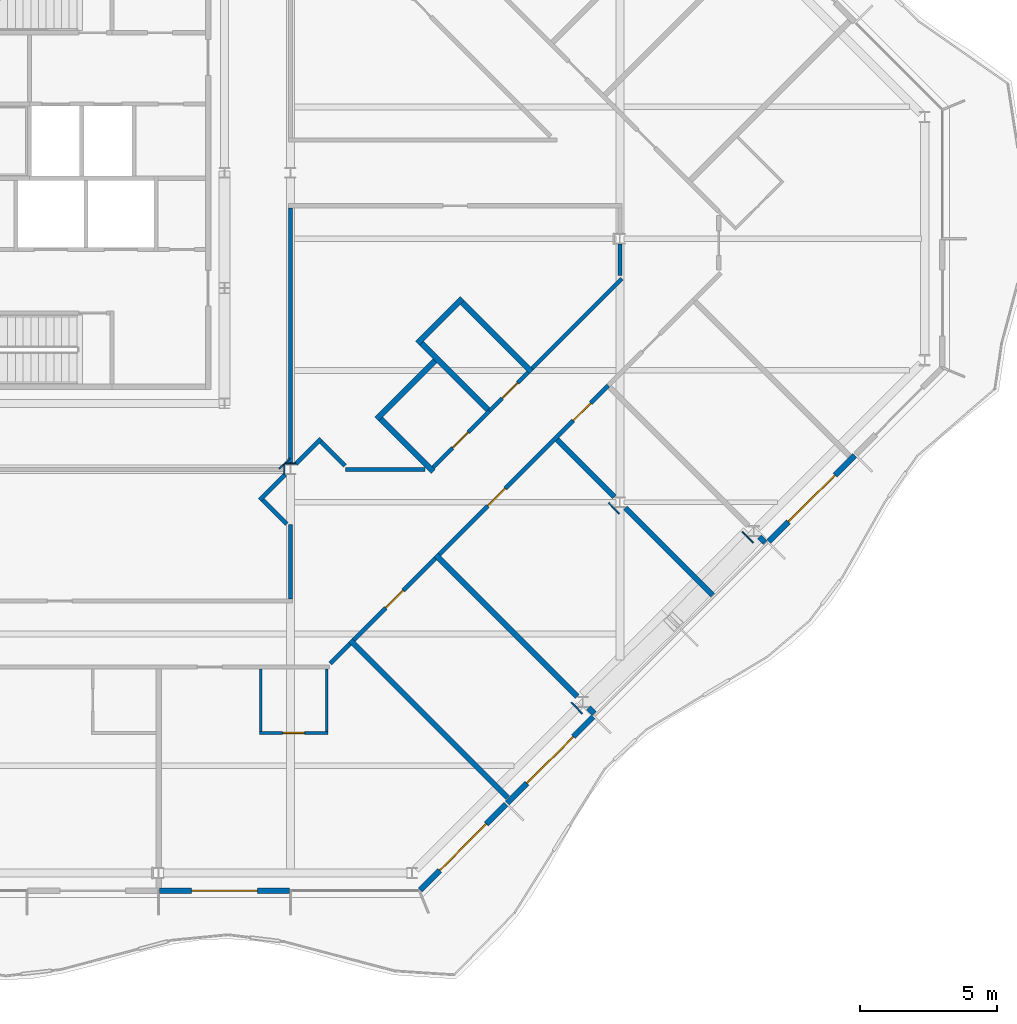
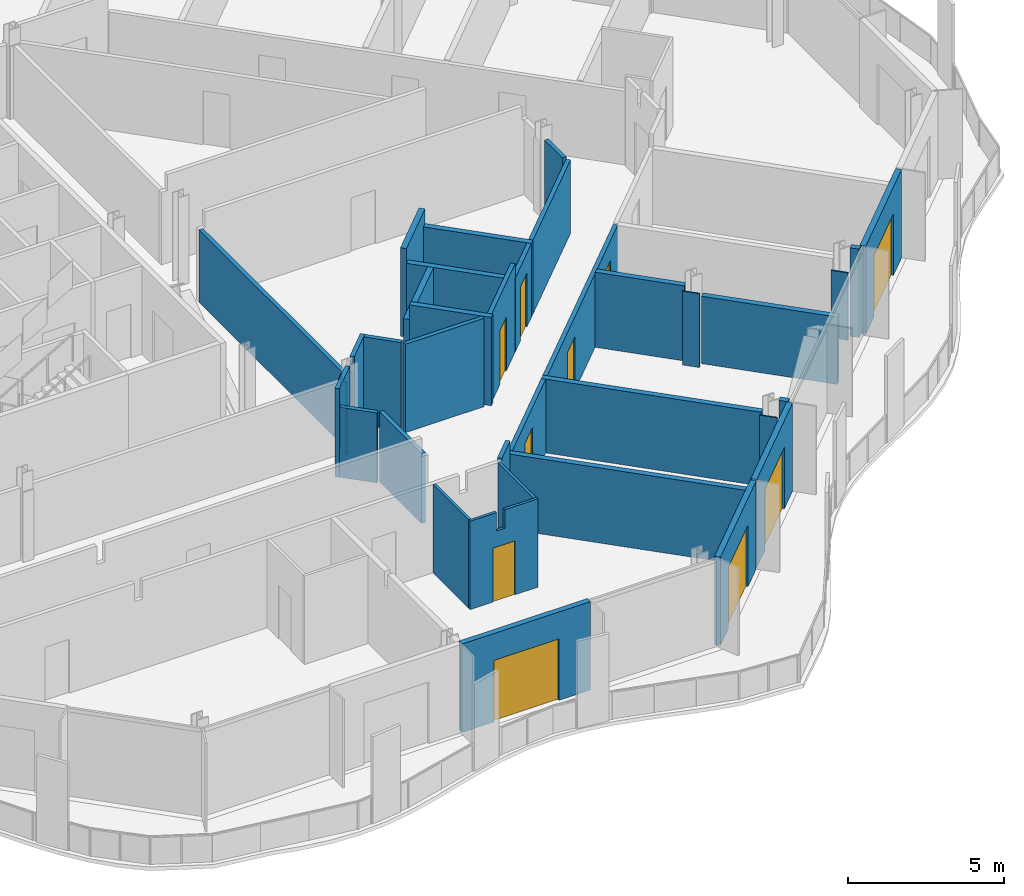
# One storey, part 9 of 17: 38 walls, 10 doors, 10 openings.
"""IFC4 building model written with IfcOpenShell, lengths in metres."""

from ifc_helpers import new_model, si_unit, direction, frame, frame_2d, origin, place, context, subcontext, project, spatial, polyline, rectangle, outline, extrude, material, layer, layer_set, type_object, element, fill, save


model = new_model("IFC4")

# Units and contexts
model_context = context("Model", 3, precision=1e-05, world=origin(), true_north=direction((0.0, 1.0)))
body_context = subcontext(model_context, "Body", "Model", "MODEL_VIEW")
ifc_project = project(units=[si_unit("LENGTHUNIT", "METRE"), si_unit("AREAUNIT", "SQUARE_METRE"), si_unit("VOLUMEUNIT", "CUBIC_METRE"), si_unit("PLANEANGLEUNIT", "RADIAN"), si_unit("MASSUNIT", "GRAM", prefix="KILO")], contexts=[model_context])

# Site, building, storey
site_placement = place(None, origin())
site = spatial("IfcSite", under=ifc_project, at=site_placement, CompositionType="ELEMENT")
building_placement = place(site_placement, origin())
building = spatial("IfcBuilding", under=site, at=building_placement, Name="Cairn Pilgrim Tower", CompositionType="ELEMENT")
storey_placement = place(building_placement, frame((0.0, 0.0, 250.199951171875)))
storey = spatial("IfcBuildingStorey", under=building, at=storey_placement, Name="L64", CompositionType="ELEMENT", Elevation=250.199951171875)

# Wall, opening, door
ifc_material_1 = material(Name="Bronze anodised aluminium insulated sandwich panel with mineral wool fill", Category="aluminium")
ifc_layer_1 = layer(ifc_material_1, 0.199951171875)
ifc_layer_set_1 = layer_set([ifc_layer_1], Name="BRONZE INFILL FRAME WALL 200")
wall_type_1 = type_object("IfcWallType", Name="BRONZE INFILL FRAME WALL 200", PredefinedType="NOTDEFINED", material=ifc_layer_set_1)
wall_1_placement = place(storey_placement, frame((14.429931640625, -23.75, 0.0), z_axis=(0.0, 0.0, 1.0), x_axis=(1.0, 0.0, 0.0)))
wall_1 = element("IfcWall", 1, at=wall_1_placement, inside=storey, type_object=wall_type_1, Name="Bronze infill frame wall IW-S3", PredefinedType="NOTDEFINED", context=body_context, shape_type="SweptSolid", body=[
    extrude(rectangle(XDim=4.739990234375, YDim=0.199951171875, at=frame_2d((2.3701171875, 0.0))), origin(), (0.0, 0.0, 1.0), 3.449951171875),
])
opening_1_placement = place(wall_1_placement, frame((1.169921875, 0.0, 0.0)))
opening_1 = element("IfcOpeningElement", 2, at=opening_1_placement, cuts=wall_1, Name="Opening 6401B", PredefinedType="OPENING", context=body_context, shape_type="SweptSolid", body=[
    extrude(rectangle(XDim=2.39990234375, YDim=2.39990234375, at=frame_2d((1.199951171875, 1.199951171875))), frame((0.0, 0.10986328125, 0.0), z_axis=(0.0, -1.0, 0.0), x_axis=(1.0, 0.0, 0.0)), (0.0, 0.0, 1.0), 0.219970703125),
])
ifc_material_2 = material(Name="Bronze anodised aluminium frame with tinted low-E glass", Category="aluminium")
door_type_1 = type_object("IfcDoorType", Name="BALCONY SLIDING DOOR 2400x2400", OperationType="DOUBLE_DOOR_SLIDING", PredefinedType="DOOR", material=ifc_material_2)
door_1_placement = place(opening_1_placement, origin())
door_1 = element("IfcDoor", 3, at=door_1_placement, inside=storey, type_object=door_type_1, Name="Balcony sliding door 6401B", OperationType="SINGLE_SWING_LEFT", OverallHeight=2.39990234375, OverallWidth=2.39990234375, PredefinedType="DOOR", context=body_context, shape_type="SweptSolid", body=[
    extrude(rectangle(XDim=2.39990234375, YDim=2.39990234375, at=frame_2d((1.199951171875, 1.199951171875))), frame((0.0, 0.02490234375, 0.0), z_axis=(0.0, -1.0, 0.0), x_axis=(1.0, 0.0, 0.0)), (0.0, 0.0, 1.0), 0.050048828125),
])
fill(opening_1, door_1)

wall_2_placement = place(storey_placement, frame((23.9248046875, -23.7216796875, 0.0), z_axis=(0.0, 0.0, 1.0), x_axis=(0.707106781187, 0.707106781187, 0.0)))
wall_2 = element("IfcWall", 4, at=wall_2_placement, inside=storey, type_object=wall_type_1, Name="Bronze infill frame wall IW-SE1", PredefinedType="NOTDEFINED", context=body_context, shape_type="SweptSolid", body=[
    extrude(rectangle(XDim=4.4208984375, YDim=0.199951171875, at=frame_2d((2.21044921875, 0.0))), origin(), (0.0, 0.0, 1.0), 3.449951171875),
])
opening_2_placement = place(wall_2_placement, frame((1.00537109375, 0.0, 0.0)))
opening_2 = element("IfcOpeningElement", 5, at=opening_2_placement, cuts=wall_2, Name="Opening 6401B2", PredefinedType="OPENING", context=body_context, shape_type="SweptSolid", body=[
    extrude(rectangle(XDim=2.39990234375, YDim=2.39990234375, at=frame_2d((1.199951171875, 1.199951171875))), frame((0.0, 0.10986328125, 0.0), z_axis=(0.0, -1.0, 0.0), x_axis=(1.0, 0.0, 0.0)), (0.0, 0.0, 1.0), 0.219970703125),
])
door_2_placement = place(opening_2_placement, origin())
door_2 = element("IfcDoor", 6, at=door_2_placement, inside=storey, type_object=door_type_1, Name="Balcony sliding door 6401B2", OperationType="SINGLE_SWING_LEFT", OverallHeight=2.39990234375, OverallWidth=2.39990234375, PredefinedType="DOOR", context=body_context, shape_type="SweptSolid", body=[
    extrude(rectangle(XDim=2.39990234375, YDim=2.39990234375, at=frame_2d((1.199951171875, 1.199951171875))), frame((0.0, 0.02490234375, 0.0), z_axis=(0.0, -1.0, 0.0), x_axis=(1.0, 0.0, 0.0)), (0.0, 0.0, 1.0), 0.050048828125),
])
fill(opening_2, door_2)

wall_3_placement = place(storey_placement, frame((27.09326171875, -20.55322265625, 0.0), z_axis=(0.0, 0.0, 1.0), x_axis=(0.707079231393, 0.707134329907, 0.0)))
wall_3 = element("IfcWall", 7, at=wall_3_placement, inside=storey, type_object=wall_type_1, Name="Bronze infill frame wall IW-SE2", PredefinedType="NOTDEFINED", context=body_context, shape_type="SweptSolid", body=[
    extrude(rectangle(XDim=4.430908203125, YDim=0.199951171875, at=frame_2d((2.21533203125, 0.0))), origin(), (0.0, 0.0, 1.0), 3.449951171875),
])
opening_3_placement = place(wall_3_placement, frame((1.015380859375, 0.0, 0.0)))
opening_3 = element("IfcOpeningElement", 8, at=opening_3_placement, cuts=wall_3, Name="Opening 6402B", PredefinedType="OPENING", context=body_context, shape_type="SweptSolid", body=[
    extrude(rectangle(XDim=2.39990234375, YDim=2.39990234375, at=frame_2d((1.199951171875, 1.199951171875))), frame((0.0, 0.10986328125, 0.0), z_axis=(0.0, -1.0, 0.0), x_axis=(1.0, 0.0, 0.0)), (0.0, 0.0, 1.0), 0.219970703125),
])
door_3_placement = place(opening_3_placement, origin())
door_3 = element("IfcDoor", 9, at=door_3_placement, inside=storey, type_object=door_type_1, Name="Balcony sliding door 6402B", OperationType="SINGLE_SWING_LEFT", OverallHeight=2.39990234375, OverallWidth=2.39990234375, PredefinedType="DOOR", context=body_context, shape_type="SweptSolid", body=[
    extrude(rectangle(XDim=2.39990234375, YDim=2.39990234375, at=frame_2d((1.199951171875, 1.199951171875))), frame((0.0, 0.02490234375, 0.0), z_axis=(0.0, -1.0, 0.0), x_axis=(1.0, 0.0, 0.0)), (0.0, 0.0, 1.0), 0.050048828125),
])
fill(opening_3, door_3)

wall_4_placement = place(storey_placement, frame((36.6201171875, -11.0263671875, 0.0), z_axis=(0.0, 0.0, 1.0), x_axis=(0.707106781187, 0.707106781187, 0.0)))
wall_4 = element("IfcWall", 10, at=wall_4_placement, inside=storey, type_object=wall_type_1, Name="Bronze infill frame wall IW-SE5", PredefinedType="NOTDEFINED", context=body_context, shape_type="SweptSolid", body=[
    extrude(rectangle(XDim=4.430908203125, YDim=0.199951171875, at=frame_2d((2.21533203125, 0.0))), origin(), (0.0, 0.0, 1.0), 3.449951171875),
])
opening_4_placement = place(wall_4_placement, frame((1.01513671875, 0.0, 0.0)))
opening_4 = element("IfcOpeningElement", 11, at=opening_4_placement, cuts=wall_4, Name="Opening 6405B", PredefinedType="OPENING", context=body_context, shape_type="SweptSolid", body=[
    extrude(rectangle(XDim=2.39990234375, YDim=2.39990234375, at=frame_2d((1.199951171875, 1.199951171875))), frame((0.0, 0.10986328125, 0.0), z_axis=(0.0, -1.0, 0.0), x_axis=(1.0, 0.0, 0.0)), (0.0, 0.0, 1.0), 0.219970703125),
])
door_4_placement = place(opening_4_placement, origin())
door_4 = element("IfcDoor", 12, at=door_4_placement, inside=storey, type_object=door_type_1, Name="Balcony sliding door 6405B", OperationType="SINGLE_SWING_LEFT", OverallHeight=2.39990234375, OverallWidth=2.39990234375, PredefinedType="DOOR", context=body_context, shape_type="SweptSolid", body=[
    extrude(rectangle(XDim=2.39990234375, YDim=2.39990234375, at=frame_2d((1.199951171875, 1.199951171875))), frame((0.0, 0.02490234375, 0.0), z_axis=(0.0, -1.0, 0.0), x_axis=(1.0, 0.0, 0.0)), (0.0, 0.0, 1.0), 0.050048828125),
])
fill(opening_4, door_4)

ifc_material_3 = material(Name="Gypsum partition")
ifc_layer_2 = layer(ifc_material_3, 0.10009765625)
ifc_layer_set_2 = layer_set([ifc_layer_2], Name="PARTITION 100 DRYWALL")
wall_type_2 = type_object("IfcWallType", Name="PARTITION 100 DRYWALL", PredefinedType="PARTITIONING", material=ifc_layer_set_2)
wall_5_placement = place(storey_placement, frame((18.071044921875, -18.0, 0.0), z_axis=(0.0, 0.0, 1.0), x_axis=(1.0, 0.0, 0.0)))
wall_5 = element("IfcWall", 13, at=wall_5_placement, inside=storey, type_object=wall_type_2, Name="PARTITION W005", PredefinedType="PARTITIONING", context=body_context, shape_type="SweptSolid", body=[
    extrude(outline(polyline([(0.0, 0.0), (2.5, 0.0), (2.5, 3.449951171875), (1.279052734375, 3.449951171875), (1.277099609375, 2.72998046875), (0.97900390625, 2.72998046875), (0.97705078125, 3.449951171875), (0.0, 3.449951171875), (0.0, 0.0)])), frame((0.0, 0.050048828125, 0.0), z_axis=(0.0, -1.0, 0.0), x_axis=(1.0, 0.0, 0.0)), (0.0, 0.0, 1.0), 0.10009765625),
])
opening_5_placement = place(wall_5_placement, frame((0.85009765625, 0.0, 0.0)))
opening_5 = element("IfcOpeningElement", 14, at=opening_5_placement, cuts=wall_5, Name="Opening 6401A", PredefinedType="OPENING", context=body_context, shape_type="SweptSolid", body=[
    extrude(rectangle(XDim=0.800048828125, YDim=2.10009765625, at=frame_2d((0.39990234375, 1.050048828125))), frame((0.0, 0.06005859375, 0.0), z_axis=(0.0, -1.0, 0.0), x_axis=(1.0, 0.0, 0.0)), (0.0, 0.0, 1.0), 0.1201171875),
])
ifc_material_4 = material(Name="Timber door leaf", Category="wood")
door_type_2 = type_object("IfcDoorType", Name="WC DOOR 800x2100", OperationType="NOTDEFINED", PredefinedType="DOOR", material=ifc_material_4)
door_5_placement = place(opening_5_placement, frame((0.800048828125, 0.0, 0.0), z_axis=(0.0, 0.0, 1.0), x_axis=(-1.0, 0.0, 0.0)))
door_5 = element("IfcDoor", 15, at=door_5_placement, inside=storey, type_object=door_type_2, Name="DOOR 6401A", OperationType="SINGLE_SWING_RIGHT", OverallHeight=2.10009765625, OverallWidth=0.800048828125, PredefinedType="DOOR", context=body_context, shape_type="SweptSolid", body=[
    extrude(rectangle(XDim=0.800048828125, YDim=2.10009765625, at=frame_2d((0.39990234375, 1.050048828125))), frame((0.0, 0.02490234375, 0.0), z_axis=(0.0, -1.0, 0.0), x_axis=(1.0, 0.0, 0.0)), (0.0, 0.0, 1.0), 0.050048828125),
])
fill(opening_5, door_5)

# Walls
for number, where, z_axis, x_axis, name in (
    (16, (18.12109375, -17.949951171875, 0.0), (0.0, 0.0, 1.0), (0.0, 1.0, 0.0), "PARTITION W007"),
    (17, (20.52099609375, -17.949951171875, 0.0), (0.0, 0.0, 1.0), (0.0, 1.0, 0.0), "PARTITION W008"),
):
    element("IfcWall", number, at=place(storey_placement, frame(where, z_axis=z_axis, x_axis=x_axis)), inside=storey, type_object=wall_type_2, Name=name, PredefinedType="PARTITIONING", context=body_context, shape_type="SweptSolid", body=[
        extrude(rectangle(XDim=2.27490234375, YDim=0.10009765625, at=frame_2d((1.137451171875, 0.0))), origin(), (0.0, 0.0, 1.0), 3.449951171875),
    ])
ifc_layer_3 = layer(ifc_material_3, 0.14990234375)
ifc_layer_set_3 = layer_set([ifc_layer_3], Name="PARTITION 150 DRYWALL EI 60")
wall_type_3 = type_object("IfcWallType", Name="PARTITION 150 DRYWALL EI 60", PredefinedType="PARTITIONING", material=ifc_layer_set_3)
wall_6_placement = place(storey_placement, frame((20.64892578125, -15.471923828125, 0.0), z_axis=(0.0, 0.0, 1.0), x_axis=(0.707106781187, 0.707106781187, 0.0)))
element("IfcWall", 18, at=wall_6_placement, inside=storey, type_object=wall_type_3, Name="PARTITION W012", PredefinedType="PARTITIONING", context=body_context, shape_type="SweptSolid", body=[
    extrude(rectangle(XDim=1.012939453125, YDim=0.14990234375, at=frame_2d((0.50634765625, 0.0))), origin(), (0.0, 0.0, 1.0), 3.449951171875),
])

# Wall, opening, door
wall_7_placement = place(storey_placement, frame((21.506591796875, -14.6142578125, 0.0), z_axis=(0.0, 0.0, 1.0), x_axis=(0.706990566745, 0.707222976531, 0.0)))
wall_7 = element("IfcWall", 19, at=wall_7_placement, inside=storey, type_object=wall_type_3, Name="PARTITION W013", PredefinedType="PARTITIONING", context=body_context, shape_type="SweptSolid", body=[
    extrude(rectangle(XDim=4.201904296875, YDim=0.14990234375, at=frame_2d((2.10107421875, 0.0))), origin(), (0.0, 0.0, 1.0), 2.880126953125),
])
opening_6_placement = place(wall_7_placement, frame((1.650634765625, 0.0, 0.0)))
opening_6 = element("IfcOpeningElement", 20, at=opening_6_placement, cuts=wall_7, Name="Opening 6402", PredefinedType="OPENING", context=body_context, shape_type="SweptSolid", body=[
    extrude(rectangle(XDim=0.89990234375, YDim=2.10009765625, at=frame_2d((0.449951171875, 1.050048828125))), frame((0.0, 0.0849609375, 0.0), z_axis=(0.0, -1.0, 0.0), x_axis=(1.0, 0.0, 0.0)), (0.0, 0.0, 1.0), 0.169921875),
])
door_type_3 = type_object("IfcDoorType", Name="SERVICE DOOR 900x2100 FD30S", OperationType="NOTDEFINED", PredefinedType="DOOR", material=ifc_material_4)
door_6_placement = place(opening_6_placement, frame((0.89990234375, 0.0, 0.0), z_axis=(0.0, 0.0, 1.0), x_axis=(-1.0, 0.0, 0.0)))
door_6 = element("IfcDoor", 21, at=door_6_placement, inside=storey, type_object=door_type_3, Name="DOOR 6402", OperationType="SINGLE_SWING_RIGHT", OverallHeight=2.10009765625, OverallWidth=0.89990234375, PredefinedType="DOOR", context=body_context, shape_type="SweptSolid", body=[
    extrude(rectangle(XDim=0.89990234375, YDim=2.10009765625, at=frame_2d((0.449951171875, 1.050048828125))), frame((0.0, 0.02490234375, 0.0), z_axis=(0.0, -1.0, 0.0), x_axis=(1.0, 0.0, 0.0)), (0.0, 0.0, 1.0), 0.050048828125),
])
fill(opening_6, door_6)

# Wall
wall_8_placement = place(storey_placement, frame((19.199951171875, -13.125, 0.0), z_axis=(0.0, 0.0, 1.0), x_axis=(0.0, 1.0, 0.0)))
element("IfcWall", 22, at=wall_8_placement, inside=storey, type_object=wall_type_3, Name="PARTITION W020", PredefinedType="PARTITIONING", context=body_context, shape_type="SweptSolid", body=[
    extrude(rectangle(XDim=2.7099609375, YDim=0.14990234375, at=frame_2d((1.35498046875, 0.0))), origin(), (0.0, 0.0, 1.0), 2.72998046875),
])

# Wall, openings, doors
wall_9_placement = place(storey_placement, frame((24.61865234375, -11.501220703125, 0.0), z_axis=(0.0, 0.0, 1.0), x_axis=(0.707106781187, 0.707106781187, 0.0)))
wall_9 = element("IfcWall", 23, at=wall_9_placement, inside=storey, type_object=wall_type_3, Name="PARTITION W022", PredefinedType="PARTITIONING", context=body_context, shape_type="SweptSolid", body=[
    extrude(rectangle(XDim=8.7021484375, YDim=0.14990234375, at=frame_2d((4.35107421875, 0.0))), origin(), (0.0, 0.0, 1.0), 2.880126953125),
])
opening_7_placement = place(wall_9_placement, frame((2.4990234375, 0.0, 0.0)))
opening_7 = element("IfcOpeningElement", 24, at=opening_7_placement, cuts=wall_9, Name="Opening 6403", PredefinedType="OPENING", context=body_context, shape_type="SweptSolid", body=[
    extrude(rectangle(XDim=0.89990234375, YDim=2.10009765625, at=frame_2d((0.449951171875, 1.050048828125))), frame((0.0, 0.0849609375, 0.0), z_axis=(0.0, -1.0, 0.0), x_axis=(1.0, 0.0, 0.0)), (0.0, 0.0, 1.0), 0.169921875),
])
opening_8_placement = place(wall_9_placement, frame((6.900146484375, 0.0, 0.0)))
opening_8 = element("IfcOpeningElement", 25, at=opening_8_placement, cuts=wall_9, Name="Opening 6404", PredefinedType="OPENING", context=body_context, shape_type="SweptSolid", body=[
    extrude(rectangle(XDim=0.89990234375, YDim=2.10009765625, at=frame_2d((0.449951171875, 1.050048828125))), frame((0.0, 0.0849609375, 0.0), z_axis=(0.0, -1.0, 0.0), x_axis=(1.0, 0.0, 0.0)), (0.0, 0.0, 1.0), 0.169921875),
])
door_7_placement = place(opening_7_placement, frame((0.89990234375, 0.0, 0.0), z_axis=(0.0, 0.0, 1.0), x_axis=(-1.0, 0.0, 0.0)))
door_7 = element("IfcDoor", 26, at=door_7_placement, inside=storey, type_object=door_type_3, Name="DOOR 6403", OperationType="SINGLE_SWING_RIGHT", OverallHeight=2.10009765625, OverallWidth=0.89990234375, PredefinedType="DOOR", context=body_context, shape_type="SweptSolid", body=[
    extrude(rectangle(XDim=0.89990234375, YDim=2.10009765625, at=frame_2d((0.449951171875, 1.050048828125))), frame((0.0, 0.02490234375, 0.0), z_axis=(0.0, -1.0, 0.0), x_axis=(1.0, 0.0, 0.0)), (0.0, 0.0, 1.0), 0.050048828125),
])
fill(opening_7, door_7)
door_8_placement = place(opening_8_placement, frame((0.89990234375, 0.0, 0.0), z_axis=(0.0, 0.0, 1.0), x_axis=(-1.0, 0.0, 0.0)))
door_8 = element("IfcDoor", 27, at=door_8_placement, inside=storey, type_object=door_type_3, Name="DOOR 6404", OperationType="SINGLE_SWING_RIGHT", OverallHeight=2.10009765625, OverallWidth=0.89990234375, PredefinedType="DOOR", context=body_context, shape_type="SweptSolid", body=[
    extrude(rectangle(XDim=0.89990234375, YDim=2.10009765625, at=frame_2d((0.449951171875, 1.050048828125))), frame((0.0, 0.02490234375, 0.0), z_axis=(0.0, -1.0, 0.0), x_axis=(1.0, 0.0, 0.0)), (0.0, 0.0, 1.0), 0.050048828125),
])
fill(opening_8, door_8)

# Walls
wall_10_placement = place(storey_placement, frame((19.072021484375, -10.39306640625, 0.0), z_axis=(0.0, 0.0, 1.0), x_axis=(-0.70740114323, 0.706812296552, 0.0)))
element("IfcWall", 28, at=wall_10_placement, inside=storey, type_object=wall_type_3, Name="PARTITION W025", PredefinedType="PARTITIONING", context=body_context, shape_type="SweptSolid", body=[
    extrude(rectangle(XDim=1.243896484375, YDim=0.14990234375, at=frame_2d((0.6220703125, 0.0))), origin(), (0.0, 0.0, 1.0), 2.72998046875),
])
wall_11_placement = place(storey_placement, frame((18.0859375, -9.513916015625, 0.0), z_axis=(0.0, 0.0, 1.0), x_axis=(0.707200419109, 0.707013130862, 0.0)))
element("IfcWall", 29, at=wall_11_placement, inside=storey, type_object=wall_type_3, Name="PARTITION W027", PredefinedType="PARTITIONING", context=body_context, shape_type="SweptSolid", body=[
    extrude(rectangle(XDim=1.303466796875, YDim=0.14990234375, at=frame_2d((0.65185546875, 0.0))), origin(), (0.0, 0.0, 1.0), 3.449951171875),
])
wall_12_placement = place(storey_placement, frame((21.215087890625, -8.39990234375, 0.0), z_axis=(0.0, 0.0, 1.0), x_axis=(1.0, 0.0, 0.0)))
element("IfcWall", 30, at=wall_12_placement, inside=storey, type_object=wall_type_3, Name="PARTITION W033", PredefinedType="PARTITIONING", context=body_context, shape_type="SweptSolid", body=[
    extrude(rectangle(XDim=2.89453125, YDim=0.14990234375, at=frame_2d((1.447265625, 0.0))), origin(), (0.0, 0.0, 1.0), 3.449951171875),
])
wall_13_placement = place(storey_placement, frame((21.193115234375, -8.27197265625, 0.0), z_axis=(0.0, 0.0, 1.0), x_axis=(-0.706812296552, 0.70740114323, 0.0)))
element("IfcWall", 31, at=wall_13_placement, inside=storey, type_object=wall_type_3, Name="PARTITION W034", PredefinedType="PARTITIONING", context=body_context, shape_type="SweptSolid", body=[
    extrude(rectangle(XDim=1.243896484375, YDim=0.14990234375, at=frame_2d((0.6220703125, 0.0))), origin(), (0.0, 0.0, 1.0), 3.449951171875),
])

# Wall, opening, door
wall_14_placement = place(storey_placement, frame((24.396728515625, -8.329345703125, 0.0), z_axis=(0.0, 0.0, 1.0), x_axis=(0.707275119896, 0.706938402391, 0.0)))
wall_14 = element("IfcWall", 32, at=wall_14_placement, inside=storey, type_object=wall_type_3, Name="PARTITION W035", PredefinedType="PARTITIONING", context=body_context, shape_type="SweptSolid", body=[
    extrude(rectangle(XDim=2.900146484375, YDim=0.14990234375, at=frame_2d((1.4501953125, 0.0))), origin(), (0.0, 0.0, 1.0), 3.449951171875),
])
opening_9_placement = place(wall_14_placement, frame((1.0, 0.0, 0.0)))
opening_9 = element("IfcOpeningElement", 33, at=opening_9_placement, cuts=wall_14, Name="Opening 6416", PredefinedType="OPENING", context=body_context, shape_type="SweptSolid", body=[
    extrude(rectangle(XDim=0.800048828125, YDim=2.10009765625, at=frame_2d((0.39990234375, 1.050048828125))), frame((0.0, 0.0849609375, 0.0), z_axis=(0.0, -1.0, 0.0), x_axis=(1.0, 0.0, 0.0)), (0.0, 0.0, 1.0), 0.169921875),
])
door_type_4 = type_object("IfcDoorType", Name="WC DOOR 800x2100 FD30S", OperationType="NOTDEFINED", PredefinedType="DOOR", material=ifc_material_4)
door_9_placement = place(opening_9_placement, origin())
door_9 = element("IfcDoor", 34, at=door_9_placement, inside=storey, type_object=door_type_4, Name="DOOR 6416", OperationType="SINGLE_SWING_LEFT", OverallHeight=2.10009765625, OverallWidth=0.800048828125, PredefinedType="DOOR", context=body_context, shape_type="SweptSolid", body=[
    extrude(rectangle(XDim=0.800048828125, YDim=2.10009765625, at=frame_2d((0.39990234375, 1.050048828125))), frame((0.0, 0.02490234375, 0.0), z_axis=(0.0, -1.0, 0.0), x_axis=(1.0, 0.0, 0.0)), (0.0, 0.0, 1.0), 0.050048828125),
])
fill(opening_9, door_9)

# Walls
wall_15_placement = place(storey_placement, frame((19.199951171875, -8.21240234375, 0.0), z_axis=(0.0, 0.0, 1.0), x_axis=(0.0, 1.0, 0.0)))
element("IfcWall", 35, at=wall_15_placement, inside=storey, type_object=wall_type_3, Name="PARTITION W037", PredefinedType="PARTITIONING", context=body_context, shape_type="SweptSolid", body=[
    extrude(rectangle(XDim=9.33740234375, YDim=0.14990234375, at=frame_2d((4.668701171875, 0.0))), origin(), (0.0, 0.0, 1.0), 2.830078125),
])
wall_16_placement = place(storey_placement, frame((19.392333984375, -8.207763671875, 0.0), z_axis=(0.0, 0.0, 1.0), x_axis=(0.707106781187, 0.707106781187, 0.0)))
element("IfcWall", 36, at=wall_16_placement, inside=storey, type_object=wall_type_3, Name="PARTITION W038", PredefinedType="PARTITIONING", context=body_context, shape_type="SweptSolid", body=[
    extrude(rectangle(XDim=1.3037109375, YDim=0.14990234375, at=frame_2d((0.65185546875, 0.0))), origin(), (0.0, 0.0, 1.0), 3.449951171875),
])

# Wall, opening, door
wall_17_placement = place(storey_placement, frame((26.447998046875, -6.279052734375, 0.0), z_axis=(0.0, 0.0, 1.0), x_axis=(0.707106781187, 0.707106781187, 0.0)))
wall_17 = element("IfcWall", 37, at=wall_17_placement, inside=storey, type_object=wall_type_3, Name="PARTITION W041", PredefinedType="PARTITIONING", context=body_context, shape_type="SweptSolid", body=[
    extrude(rectangle(XDim=2.000244140625, YDim=0.14990234375, at=frame_2d((1.0, 0.0))), origin(), (0.0, 0.0, 1.0), 2.880126953125),
])
opening_10_placement = place(wall_17_placement, frame((0.64990234375, 0.0, 0.0)))
opening_10 = element("IfcOpeningElement", 38, at=opening_10_placement, cuts=wall_17, Name="Opening 6417", PredefinedType="OPENING", context=body_context, shape_type="SweptSolid", body=[
    extrude(rectangle(XDim=0.800048828125, YDim=2.10009765625, at=frame_2d((0.39990234375, 1.050048828125))), frame((0.0, 0.0849609375, 0.0), z_axis=(0.0, -1.0, 0.0), x_axis=(1.0, 0.0, 0.0)), (0.0, 0.0, 1.0), 0.169921875),
])
door_10_placement = place(opening_10_placement, origin())
door_10 = element("IfcDoor", 39, at=door_10_placement, inside=storey, type_object=door_type_4, Name="DOOR 6417", OperationType="SINGLE_SWING_LEFT", OverallHeight=2.10009765625, OverallWidth=0.800048828125, PredefinedType="DOOR", context=body_context, shape_type="SweptSolid", body=[
    extrude(rectangle(XDim=0.800048828125, YDim=2.10009765625, at=frame_2d((0.39990234375, 1.050048828125))), frame((0.0, 0.02490234375, 0.0), z_axis=(0.0, -1.0, 0.0), x_axis=(1.0, 0.0, 0.0)), (0.0, 0.0, 1.0), 0.050048828125),
])
fill(opening_10, door_10)

# Walls
wall_18_placement = place(storey_placement, frame((28.003662109375, -4.723388671875, 0.0), z_axis=(0.0, 0.0, 1.0), x_axis=(0.706974860744, 0.707238677022, 0.0)))
element("IfcWall", 40, at=wall_18_placement, inside=storey, type_object=wall_type_3, Name="PARTITION W047", PredefinedType="PARTITIONING", context=body_context, shape_type="SweptSolid", body=[
    extrude(rectangle(XDim=4.627197265625, YDim=0.14990234375, at=frame_2d((2.3134765625, 0.0))), origin(), (0.0, 0.0, 1.0), 2.880126953125),
])
wall_19_placement = place(storey_placement, frame((31.199951171875, -1.344970703125, 0.0), z_axis=(0.0, 0.0, 1.0), x_axis=(0.0, 1.0, 0.0)))
element("IfcWall", 41, at=wall_19_placement, inside=storey, type_object=wall_type_3, Name="PARTITION W051", PredefinedType="PARTITIONING", context=body_context, shape_type="SweptSolid", body=[
    extrude(rectangle(XDim=1.1484375, YDim=0.14990234375, at=frame_2d((0.57421875, 0.0))), origin(), (0.0, 0.0, 1.0), 2.929931640625),
])
ifc_layer_4 = layer(ifc_material_3, 0.050048828125)
ifc_layer_set_4 = layer_set([ifc_layer_4], Name="PARTITION 50 DRYWALL EI 60")
wall_type_4 = type_object("IfcWallType", Name="PARTITION 50 DRYWALL EI 60", PredefinedType="PARTITIONING", material=ifc_layer_set_4)
wall_20_placement = place(storey_placement, frame((29.833740234375, -17.298828125, 0.0), z_axis=(0.0, 0.0, 1.0), x_axis=(-0.707106781187, 0.707106781187, 0.0)))
element("IfcWall", 42, at=wall_20_placement, inside=storey, type_object=wall_type_4, Name="COLUMN CASING WC02", PredefinedType="PARTITIONING", context=body_context, shape_type="SweptSolid", body=[
    extrude(rectangle(XDim=0.573486328125, YDim=0.050048828125, at=frame_2d((0.28662109375, 0.0))), origin(), (0.0, 0.0, 1.0), 2.929931640625),
])
wall_21_placement = place(storey_placement, frame((31.182373046875, -10.013671875, 0.0), z_axis=(0.0, 0.0, 1.0), x_axis=(-0.707106781187, 0.707106781187, 0.0)))
element("IfcWall", 43, at=wall_21_placement, inside=storey, type_object=wall_type_4, Name="COLUMN CASING WC03", PredefinedType="PARTITIONING", context=body_context, shape_type="SweptSolid", body=[
    extrude(rectangle(XDim=0.56005859375, YDim=0.050048828125, at=frame_2d((0.280029296875, 0.0))), origin(), (0.0, 0.0, 1.0), 2.880126953125),
])
wall_22_placement = place(storey_placement, frame((36.05810546875, -11.07470703125, 0.0), z_axis=(0.0, 0.0, 1.0), x_axis=(-0.707106781187, 0.707106781187, 0.0)))
element("IfcWall", 44, at=wall_22_placement, inside=storey, type_object=wall_type_4, Name="COLUMN CASING WC04", PredefinedType="PARTITIONING", context=body_context, shape_type="SweptSolid", body=[
    extrude(rectangle(XDim=0.573486328125, YDim=0.050048828125, at=frame_2d((0.28662109375, 0.0))), origin(), (0.0, 0.0, 1.0), 2.630126953125),
])
wall_23_placement = place(storey_placement, frame((18.7978515625, -8.38232421875, 0.0), z_axis=(0.0, 0.0, 1.0), x_axis=(0.707106781187, 0.707106781187, 0.0)))
element("IfcWall", 45, at=wall_23_placement, inside=storey, type_object=wall_type_4, Name="COLUMN CASING WC06", PredefinedType="PARTITIONING", context=body_context, shape_type="SweptSolid", body=[
    extrude(rectangle(XDim=0.543701171875, YDim=0.050048828125, at=frame_2d((0.27197265625, 0.0))), origin(), (0.0, 0.0, 1.0), 2.830078125),
])
wall_24_placement = place(storey_placement, frame((19.0029296875, -8.1875, 0.0), z_axis=(0.0, 0.0, 1.0), x_axis=(1.0, 0.0, 0.0)))
element("IfcWall", 46, at=wall_24_placement, inside=storey, type_object=wall_type_4, Name="COLUMN CASING WC11", PredefinedType="PARTITIONING", context=body_context, shape_type="SweptSolid", body=[
    extrude(rectangle(XDim=0.39404296875, YDim=0.050048828125, at=frame_2d((0.197021484375, 0.0))), origin(), (0.0, 0.0, 1.0), 2.830078125),
])
wall_25_placement = place(storey_placement, frame((18.97802734375, -8.58740234375, 0.0), z_axis=(0.0, 0.0, 1.0), x_axis=(0.0, 1.0, 0.0)))
element("IfcWall", 47, at=wall_25_placement, inside=storey, type_object=wall_type_4, Name="COLUMN CASING WC12", PredefinedType="PARTITIONING", context=body_context, shape_type="SweptSolid", body=[
    extrude(rectangle(XDim=0.375, YDim=0.050048828125, at=frame_2d((0.1875, 0.0))), origin(), (0.0, 0.0, 1.0), 2.830078125),
])
ifc_layer_5 = layer(ifc_material_3, 0.199951171875)
ifc_layer_set_5 = layer_set([ifc_layer_5], Name="SHAFT WALL 200 GYPSUM EI 60")
wall_type_5 = type_object("IfcWallType", Name="SHAFT WALL 200 GYPSUM EI 60", PredefinedType="PARTITIONING", material=ifc_layer_set_5)
wall_26_placement = place(storey_placement, frame((27.107421875, -20.355224609375, 0.0), z_axis=(0.0, 0.0, 1.0), x_axis=(-0.707182179369, 0.707031374964, 0.0)))
element("IfcWall", 48, at=wall_26_placement, inside=storey, type_object=wall_type_5, Name="PARTITION W003", PredefinedType="PARTITIONING", context=body_context, shape_type="SweptSolid", body=[
    extrude(rectangle(XDim=8.0947265625, YDim=0.199951171875, at=frame_2d((4.04736328125, 0.0))), origin(), (0.0, 0.0, 1.0), 2.929931640625),
])
wall_27_placement = place(storey_placement, frame((30.268798828125, -17.292724609375, 0.0), z_axis=(0.0, 0.0, 1.0), x_axis=(-0.707509117806, 0.706704215511, 0.0)))
element("IfcWall", 49, at=wall_27_placement, inside=storey, type_object=wall_type_5, Name="PARTITION W009", PredefinedType="PARTITIONING", context=body_context, shape_type="SweptSolid", body=[
    extrude(rectangle(XDim=0.30322265625, YDim=0.199951171875, at=frame_2d((0.151611328125, 0.0))), origin(), (0.0, 0.0, 1.0), 3.449951171875),
])
wall_28_placement = place(storey_placement, frame((29.64892578125, -16.6728515625, 0.0), z_axis=(0.0, 0.0, 1.0), x_axis=(-0.707106781187, 0.707106781187, 0.0)))
element("IfcWall", 50, at=wall_28_placement, inside=storey, type_object=wall_type_5, Name="PARTITION W010", PredefinedType="PARTITIONING", context=body_context, shape_type="SweptSolid", body=[
    extrude(rectangle(XDim=7.28857421875, YDim=0.199951171875, at=frame_2d((3.644287109375, 0.0))), origin(), (0.0, 0.0, 1.0), 2.880126953125),
])
wall_29_placement = place(storey_placement, frame((34.580810546875, -12.980712890625, 0.0), z_axis=(0.0, 0.0, 1.0), x_axis=(-0.707133900936, 0.707079660397, 0.0)))
element("IfcWall", 51, at=wall_29_placement, inside=storey, type_object=wall_type_5, Name="PARTITION W021", PredefinedType="PARTITIONING", context=body_context, shape_type="SweptSolid", body=[
    extrude(rectangle(XDim=4.5009765625, YDim=0.199951171875, at=frame_2d((2.25048828125, 0.0))), origin(), (0.0, 0.0, 1.0), 2.630126953125),
])
wall_30_placement = place(storey_placement, frame((36.492919921875, -11.06884765625, 0.0), z_axis=(0.0, 0.0, 1.0), x_axis=(-0.707106781187, 0.707106781187, 0.0)))
element("IfcWall", 52, at=wall_30_placement, inside=storey, type_object=wall_type_5, Name="PARTITION W023", PredefinedType="PARTITIONING", context=body_context, shape_type="SweptSolid", body=[
    extrude(rectangle(XDim=0.303466796875, YDim=0.199951171875, at=frame_2d((0.15185546875, 0.0))), origin(), (0.0, 0.0, 1.0), 3.449951171875),
])
wall_31_placement = place(storey_placement, frame((31.001953125, -9.402099609375, 0.0), z_axis=(0.0, 0.0, 1.0), x_axis=(-0.707065460118, 0.70714809984, 0.0)))
element("IfcWall", 53, at=wall_31_placement, inside=storey, type_object=wall_type_5, Name="PARTITION W028", PredefinedType="PARTITIONING", context=body_context, shape_type="SweptSolid", body=[
    extrude(rectangle(XDim=2.954345703125, YDim=0.199951171875, at=frame_2d((1.47705078125, 0.0))), origin(), (0.0, 0.0, 1.0), 2.929931640625),
])
wall_32_placement = place(storey_placement, frame((24.408203125, -8.482421875, 0.0), z_axis=(0.0, 0.0, 1.0), x_axis=(-0.707061835578, 0.707151723938, 0.0)))
element("IfcWall", 54, at=wall_32_placement, inside=storey, type_object=wall_type_5, Name="PARTITION W029", PredefinedType="PARTITIONING", context=body_context, shape_type="SweptSolid", body=[
    extrude(rectangle(XDim=2.716064453125, YDim=0.199951171875, at=frame_2d((1.35791015625, 0.0))), origin(), (0.0, 0.0, 1.0), 3.449951171875),
])
wall_33_placement = place(storey_placement, frame((22.34619140625, -6.561767578125, 0.0), z_axis=(0.0, 0.0, 1.0), x_axis=(0.707269502796, 0.706944022123, 0.0)))
element("IfcWall", 55, at=wall_33_placement, inside=storey, type_object=wall_type_5, Name="PARTITION W040", PredefinedType="PARTITIONING", context=body_context, shape_type="SweptSolid", body=[
    extrude(rectangle(XDim=3.00048828125, YDim=0.199951171875, at=frame_2d((1.500244140625, 0.0))), origin(), (0.0, 0.0, 1.0), 2.880126953125),
])
wall_34_placement = place(storey_placement, frame((26.39501953125, -6.22607421875, 0.0), z_axis=(0.0, 0.0, 1.0), x_axis=(-0.707106781187, 0.707106781187, 0.0)))
element("IfcWall", 56, at=wall_34_placement, inside=storey, type_object=wall_type_5, Name="PARTITION W042", PredefinedType="PARTITIONING", context=body_context, shape_type="SweptSolid", body=[
    extrude(rectangle(XDim=3.42578125, YDim=0.199951171875, at=frame_2d((1.712890625, 0.0))), origin(), (0.0, 0.0, 1.0), 2.880126953125),
])
wall_35_placement = place(storey_placement, frame((27.986083984375, -4.846923828125, 0.0), z_axis=(0.0, 0.0, 1.0), x_axis=(-0.707106781187, 0.707106781187, 0.0)))
element("IfcWall", 57, at=wall_35_placement, inside=storey, type_object=wall_type_5, Name="PARTITION W046", PredefinedType="PARTITIONING", context=body_context, shape_type="SweptSolid", body=[
    extrude(rectangle(XDim=3.57568359375, YDim=0.199951171875, at=frame_2d((1.787841796875, 0.0))), origin(), (0.0, 0.0, 1.0), 2.880126953125),
])
wall_36_placement = place(storey_placement, frame((23.831298828125, -3.8037109375, 0.0), z_axis=(0.0, 0.0, 1.0), x_axis=(0.707106781187, 0.707106781187, 0.0)))
element("IfcWall", 58, at=wall_36_placement, inside=storey, type_object=wall_type_5, Name="PARTITION W048", PredefinedType="PARTITIONING", context=body_context, shape_type="SweptSolid", body=[
    extrude(rectangle(XDim=2.300048828125, YDim=0.199951171875, at=frame_2d((1.14990234375, 0.0))), origin(), (0.0, 0.0, 1.0), 3.449951171875),
])

save(model, "model.ifc")
